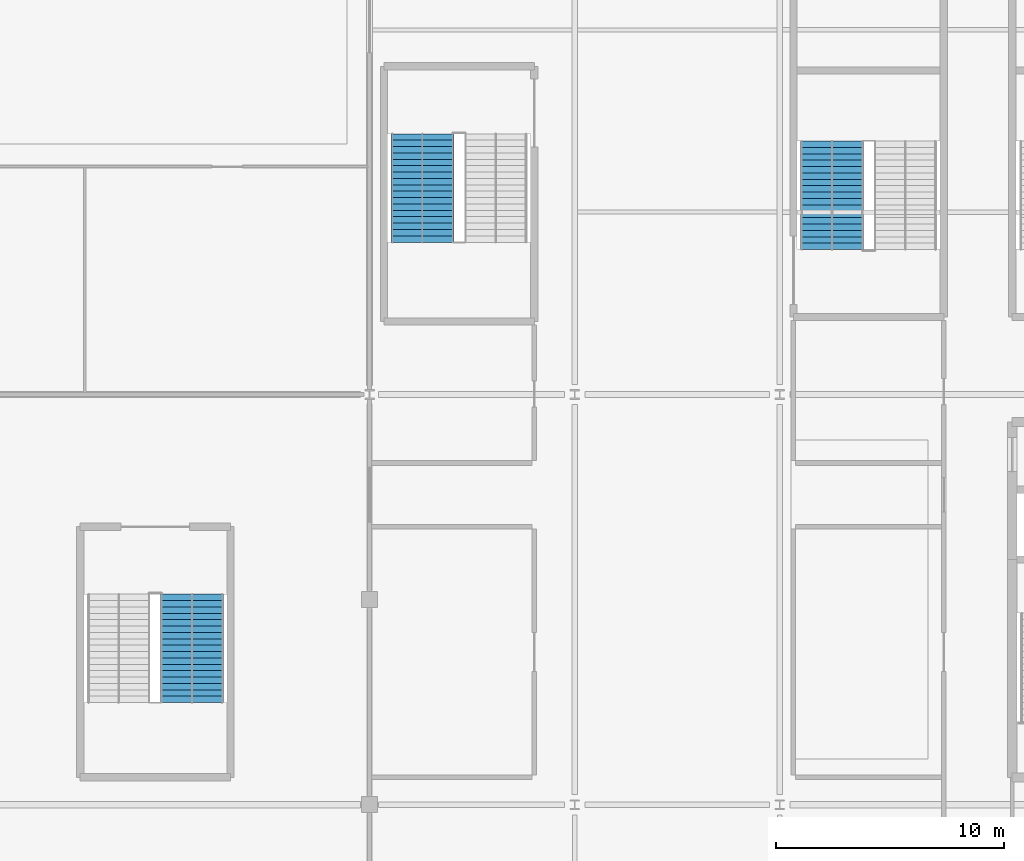
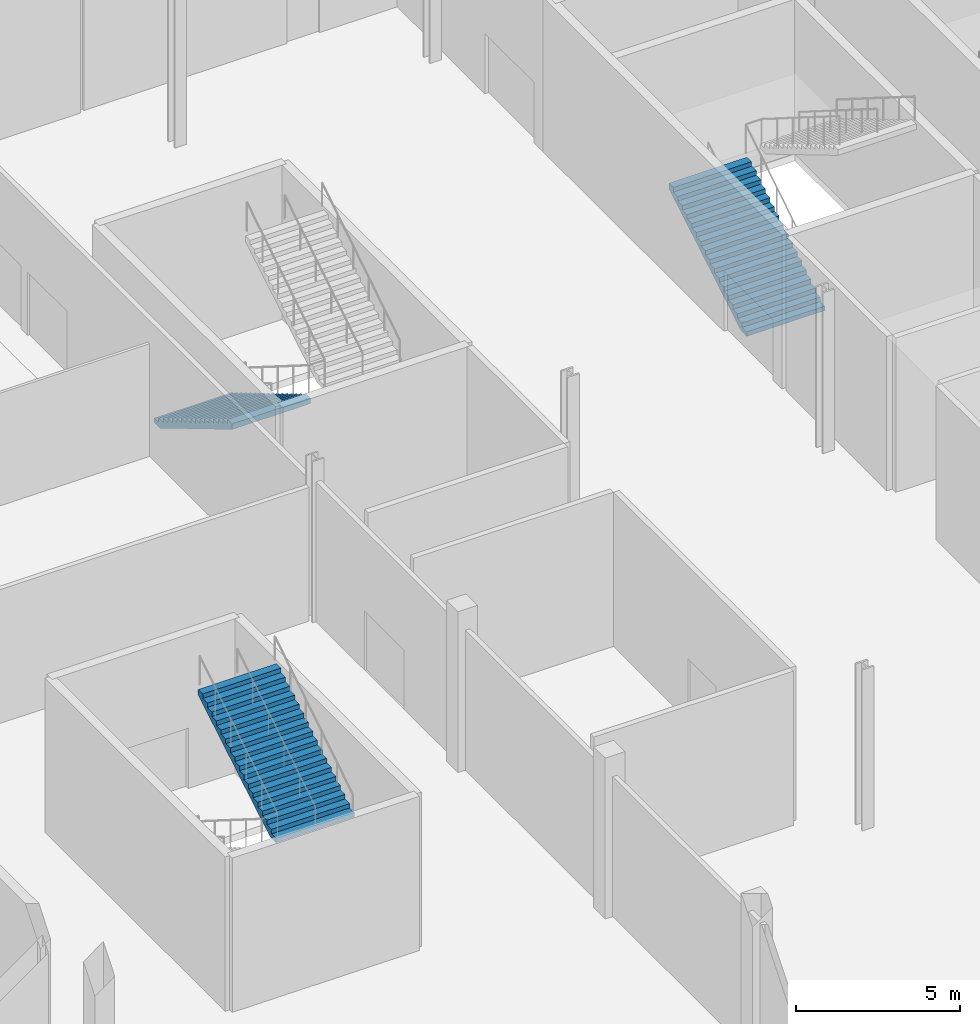
# One storey, part 62 of 84: 3 stair flights, 3 elements without a shape of their own.
"""IFC4 building model written with IfcOpenShell, lengths in metres."""

from ifc_helpers import new_model, si_unit, direction, frame, origin, place, context, subcontext, project, spatial, polygons, material, type_object, element, aggregate, save


model = new_model("IFC4")

# Units and contexts
model_context = context("Model", 3, precision=1e-05, world=origin(), true_north=direction((0.0, 1.0)))
body_context = subcontext(model_context, "Body", "Model", "MODEL_VIEW")
ifc_project = project(units=[si_unit("LENGTHUNIT", "METRE"), si_unit("AREAUNIT", "SQUARE_METRE"), si_unit("VOLUMEUNIT", "CUBIC_METRE"), si_unit("PLANEANGLEUNIT", "RADIAN"), si_unit("MASSUNIT", "GRAM", prefix="KILO")], contexts=[model_context])

# Site, building, storey
site_placement = place(None, origin())
site = spatial("IfcSite", under=ifc_project, at=site_placement, CompositionType="ELEMENT")
building_placement = place(site_placement, origin())
building = spatial("IfcBuilding", under=site, at=building_placement, Name="Kisiwana Market Hall", CompositionType="ELEMENT")
storey_placement = place(building_placement, origin())
storey = spatial("IfcBuildingStorey", under=building, at=storey_placement, Name="L00", CompositionType="ELEMENT", Elevation=0.0)

# Stair, stair flight
ifc_material_1 = material(Name="Concrete C32/40", Category="concrete")
stair_type = type_object("IfcStairType", Name="ST-ESC-6000", PredefinedType="TWO_STRAIGHT_RUN_STAIR", material=ifc_material_1)
stair_1_placement = place(storey_placement, origin())
stair_1 = element("IfcStair", 1, at=stair_1_placement, inside=storey, type_object=stair_type, Name="Escape stair ST-E7-L00", PredefinedType="TWO_STRAIGHT_RUN_STAIR")
ifc_material_2 = material(Name="Concrete C32/40", Category="concrete")
stair_flight_type = type_object("IfcStairFlightType", Name="SF-ESC-6000", PredefinedType="STRAIGHT", material=ifc_material_2)
stair_flight_1_placement = place(storey_placement, frame((173.2900390625, 42.360107421875, 0.0), z_axis=(0.0, 0.0, 1.0), x_axis=(0.0, 1.0, 0.0)))
stair_flight_1 = element("IfcStairFlight", 2, at=stair_flight_1_placement, type_object=stair_flight_type, Name="ST-E7-L00 flight 1", NumberOfRisers=18, NumberOfTreads=17, PredefinedType="STRAIGHT", RiserHeight=0.166667, TreadLength=0.28, context=body_context, shape_type="Tessellation", body=[
    polygons([(0.0, -1.380127, 0.0), (0.0, -0.690125, 0.0), (0.0, -0.000122, 0.0), (0.0, 0.68988, 0.0), (0.0, 1.379883, 0.0), (0.0, -1.380127, 0.166748), (0.0, -0.690125, 0.166748), (0.0, -0.000122, 0.166748), (0.0, 0.68988, 0.166748), (0.0, 1.379883, 0.166748), (0.280029, -1.380127, 0.166748), (0.280029, -0.690125, 0.166748), (0.280029, -0.000122, 0.166748), (0.280029, 0.68988, 0.166748), (0.280029, 1.379883, 0.166748), (0.280029, -1.380127, 0.333252), (0.280029, -0.690125, 0.333252), (0.280029, -0.000122, 0.333252), (0.280029, 0.68988, 0.333252), (0.280029, 1.379883, 0.333252), (0.560059, -1.380127, 0.333252), (0.560059, -0.690125, 0.333252), (0.560059, -0.000122, 0.333252), (0.560059, 0.68988, 0.333252), (0.560059, 1.379883, 0.333252), (0.560059, -1.380127, 0.5), (0.560059, -0.690125, 0.5), (0.560059, -0.000122, 0.5), (0.560059, 0.68988, 0.5), (0.560059, 1.379883, 0.5), (0.840088, -1.380127, 0.5), (0.840088, -0.690125, 0.5), (0.840088, -0.000122, 0.5), (0.840088, 0.68988, 0.5), (0.840088, 1.379883, 0.5), (0.840088, -1.380127, 0.666748), (0.840088, -0.690125, 0.666748), (0.840088, -0.000122, 0.666748), (0.840088, 0.68988, 0.666748), (0.840088, 1.379883, 0.666748), (1.120117, -1.380127, 0.666748), (1.120117, -0.690125, 0.666748), (1.120117, -0.000122, 0.666748), (1.120117, 0.68988, 0.666748), (1.120117, 1.379883, 0.666748), (1.120117, -1.380127, 0.833252), (1.120117, -0.690125, 0.833252), (1.120117, -0.000122, 0.833252), (1.120117, 0.68988, 0.833252), (1.120117, 1.379883, 0.833252), (1.399902, -1.380127, 0.833252), (1.399902, -0.690125, 0.833252), (1.399902, -0.000122, 0.833252), (1.399902, 0.68988, 0.833252), (1.399902, 1.379883, 0.833252), (1.399902, -1.380127, 1.0), (1.399902, -0.690125, 1.0), (1.399902, -0.000122, 1.0), (1.399902, 0.68988, 1.0), (1.399902, 1.379883, 1.0), (1.679932, -1.380127, 1.0), (1.679932, -0.690125, 1.0), (1.679932, -0.000122, 1.0), (1.679932, 0.68988, 1.0), (1.679932, 1.379883, 1.0), (1.679932, -1.380127, 1.166748), (1.679932, -0.690125, 1.166748), (1.679932, -0.000122, 1.166748), (1.679932, 0.68988, 1.166748), (1.679932, 1.379883, 1.166748), (1.959961, -1.380127, 1.166748), (1.959961, -0.690125, 1.166748), (1.959961, -0.000122, 1.166748), (1.959961, 0.68988, 1.166748), (1.959961, 1.379883, 1.166748), (1.959961, -1.380127, 1.333252), (1.959961, -0.690125, 1.333252), (1.959961, -0.000122, 1.333252), (1.959961, 0.68988, 1.333252), (1.959961, 1.379883, 1.333252), (2.23999, -1.380127, 1.333252), (2.23999, -0.690125, 1.333252), (2.23999, -0.000122, 1.333252), (2.23999, 0.68988, 1.333252), (2.23999, 1.379883, 1.333252), (2.23999, -1.380127, 1.5), (2.23999, -0.690125, 1.5), (2.23999, -0.000122, 1.5), (2.23999, 0.68988, 1.5), (2.23999, 1.379883, 1.5), (2.52002, -1.380127, 1.5), (2.52002, -0.690125, 1.5), (2.52002, -0.000122, 1.5), (2.52002, 0.68988, 1.5), (2.52002, 1.379883, 1.5), (2.52002, -1.380127, 1.666748), (2.52002, -0.690125, 1.666748), (2.52002, -0.000122, 1.666748), (2.52002, 0.68988, 1.666748), (2.52002, 1.379883, 1.666748), (2.800049, -1.380127, 1.666748), (2.800049, -0.690125, 1.666748), (2.800049, -0.000122, 1.666748), (2.800049, 0.68988, 1.666748), (2.800049, 1.379883, 1.666748), (2.800049, -1.380127, 1.833252), (2.800049, -0.690125, 1.833252), (2.800049, -0.000122, 1.833252), (2.800049, 0.68988, 1.833252), (2.800049, 1.379883, 1.833252), (3.080078, -1.380127, 1.833252), (3.080078, -0.690125, 1.833252), (3.080078, -0.000122, 1.833252), (3.080078, 0.68988, 1.833252), (3.080078, 1.379883, 1.833252), (3.080078, -1.380127, 2.0), (3.080078, -0.690125, 2.0), (3.080078, -0.000122, 2.0), (3.080078, 0.68988, 2.0), (3.080078, 1.379883, 2.0), (3.360107, -1.380127, 2.0), (3.360107, -0.690125, 2.0), (3.360107, -0.000122, 2.0), (3.360107, 0.68988, 2.0), (3.360107, 1.379883, 2.0), (3.360107, -1.380127, 2.166748), (3.360107, -0.690125, 2.166748), (3.360107, -0.000122, 2.166748), (3.360107, 0.68988, 2.166748), (3.360107, 1.379883, 2.166748), (3.639893, -1.380127, 2.166748), (3.639893, -0.690125, 2.166748), (3.639893, -0.000122, 2.166748), (3.639893, 0.68988, 2.166748), (3.639893, 1.379883, 2.166748), (3.639893, -1.380127, 2.333252), (3.639893, -0.690125, 2.333252), (3.639893, -0.000122, 2.333252), (3.639893, 0.68988, 2.333252), (3.639893, 1.379883, 2.333252), (3.919922, -1.380127, 2.333252), (3.919922, -0.690125, 2.333252), (3.919922, -0.000122, 2.333252), (3.919922, 0.68988, 2.333252), (3.919922, 1.379883, 2.333252), (3.919922, -1.380127, 2.5), (3.919922, -0.690125, 2.5), (3.919922, -0.000122, 2.5), (3.919922, 0.68988, 2.5), (3.919922, 1.379883, 2.5), (4.199951, -1.380127, 2.5), (4.199951, -0.690125, 2.5), (4.199951, -0.000122, 2.5), (4.199951, 0.68988, 2.5), (4.199951, 1.379883, 2.5), (4.199951, -1.380127, 2.666748), (4.199951, -0.690125, 2.666748), (4.199951, -0.000122, 2.666748), (4.199951, 0.68988, 2.666748), (4.199951, 1.379883, 2.666748), (4.47998, -1.380127, 2.666748), (4.47998, -0.690125, 2.666748), (4.47998, -0.000122, 2.666748), (4.47998, 0.68988, 2.666748), (4.47998, 1.379883, 2.666748), (4.47998, -1.380127, 2.833252), (4.47998, -0.690125, 2.833252), (4.47998, -0.000122, 2.833252), (4.47998, 0.68988, 2.833252), (4.47998, 1.379883, 2.833252), (4.76001, -1.380127, 2.833252), (4.76001, -0.690125, 2.833252), (4.76001, -0.000122, 2.833252), (4.76001, 0.68988, 2.833252), (4.76001, 1.379883, 2.833252), (4.76001, -1.380127, 2.624023), (4.76001, -0.690125, 2.624023), (4.76001, -0.000122, 2.624023), (4.76001, 0.68988, 2.624023), (4.76001, 1.379883, 2.624023), (0.351807, -1.380127, 0.0), (0.351807, -0.690125, 0.0), (0.351807, -0.000122, 0.0), (0.351807, 0.68988, 0.0), (0.351807, 1.379883, 0.0)], [[[1, 6, 7, 2]], [[2, 7, 8, 3]], [[3, 8, 9, 4]], [[4, 9, 10, 5]], [[6, 11, 12, 7]], [[7, 12, 13, 8]], [[8, 13, 14, 9]], [[9, 14, 15, 10]], [[11, 16, 17, 12]], [[12, 17, 18, 13]], [[13, 18, 19, 14]], [[14, 19, 20, 15]], [[16, 21, 22, 17]], [[17, 22, 23, 18]], [[18, 23, 24, 19]], [[19, 24, 25, 20]], [[21, 26, 27, 22]], [[22, 27, 28, 23]], [[23, 28, 29, 24]], [[24, 29, 30, 25]], [[26, 31, 32, 27]], [[27, 32, 33, 28]], [[28, 33, 34, 29]], [[29, 34, 35, 30]], [[31, 36, 37, 32]], [[32, 37, 38, 33]], [[33, 38, 39, 34]], [[34, 39, 40, 35]], [[36, 41, 42, 37]], [[37, 42, 43, 38]], [[38, 43, 44, 39]], [[39, 44, 45, 40]], [[41, 46, 47, 42]], [[42, 47, 48, 43]], [[43, 48, 49, 44]], [[44, 49, 50, 45]], [[46, 51, 52, 47]], [[47, 52, 53, 48]], [[48, 53, 54, 49]], [[49, 54, 55, 50]], [[51, 56, 57, 52]], [[52, 57, 58, 53]], [[53, 58, 59, 54]], [[54, 59, 60, 55]], [[56, 61, 62, 57]], [[57, 62, 63, 58]], [[58, 63, 64, 59]], [[59, 64, 65, 60]], [[61, 66, 67, 62]], [[62, 67, 68, 63]], [[63, 68, 69, 64]], [[64, 69, 70, 65]], [[66, 71, 72, 67]], [[67, 72, 73, 68]], [[68, 73, 74, 69]], [[69, 74, 75, 70]], [[71, 76, 77, 72]], [[72, 77, 78, 73]], [[73, 78, 79, 74]], [[74, 79, 80, 75]], [[76, 81, 82, 77]], [[77, 82, 83, 78]], [[78, 83, 84, 79]], [[79, 84, 85, 80]], [[81, 86, 87, 82]], [[82, 87, 88, 83]], [[83, 88, 89, 84]], [[84, 89, 90, 85]], [[86, 91, 92, 87]], [[87, 92, 93, 88]], [[88, 93, 94, 89]], [[89, 94, 95, 90]], [[91, 96, 97, 92]], [[92, 97, 98, 93]], [[93, 98, 99, 94]], [[94, 99, 100, 95]], [[96, 101, 102, 97]], [[97, 102, 103, 98]], [[98, 103, 104, 99]], [[99, 104, 105, 100]], [[101, 106, 107, 102]], [[102, 107, 108, 103]], [[103, 108, 109, 104]], [[104, 109, 110, 105]], [[106, 111, 112, 107]], [[107, 112, 113, 108]], [[108, 113, 114, 109]], [[109, 114, 115, 110]], [[111, 116, 117, 112]], [[112, 117, 118, 113]], [[113, 118, 119, 114]], [[114, 119, 120, 115]], [[116, 121, 122, 117]], [[117, 122, 123, 118]], [[118, 123, 124, 119]], [[119, 124, 125, 120]], [[121, 126, 127, 122]], [[122, 127, 128, 123]], [[123, 128, 129, 124]], [[124, 129, 130, 125]], [[126, 131, 132, 127]], [[127, 132, 133, 128]], [[128, 133, 134, 129]], [[129, 134, 135, 130]], [[131, 136, 137, 132]], [[132, 137, 138, 133]], [[133, 138, 139, 134]], [[134, 139, 140, 135]], [[136, 141, 142, 137]], [[137, 142, 143, 138]], [[138, 143, 144, 139]], [[139, 144, 145, 140]], [[141, 146, 147, 142]], [[142, 147, 148, 143]], [[143, 148, 149, 144]], [[144, 149, 150, 145]], [[146, 151, 152, 147]], [[147, 152, 153, 148]], [[148, 153, 154, 149]], [[149, 154, 155, 150]], [[151, 156, 157, 152]], [[152, 157, 158, 153]], [[153, 158, 159, 154]], [[154, 159, 160, 155]], [[156, 161, 162, 157]], [[157, 162, 163, 158]], [[158, 163, 164, 159]], [[159, 164, 165, 160]], [[161, 166, 167, 162]], [[162, 167, 168, 163]], [[163, 168, 169, 164]], [[164, 169, 170, 165]], [[166, 171, 172, 167]], [[167, 172, 173, 168]], [[168, 173, 174, 169]], [[169, 174, 175, 170]], [[171, 176, 177, 172]], [[172, 177, 178, 173]], [[173, 178, 179, 174]], [[174, 179, 180, 175]], [[176, 181, 182, 177]], [[177, 182, 183, 178]], [[178, 183, 184, 179]], [[179, 184, 185, 180]], [[181, 1, 2, 182]], [[182, 2, 3, 183]], [[183, 3, 4, 184]], [[184, 4, 5, 185]], [[181, 176, 171, 166, 161, 156, 151, 146, 141, 136, 131, 126, 121, 116, 111, 106, 101, 96, 91, 86, 81, 76, 71, 66, 61, 56, 51, 46, 41, 36, 31, 26, 21, 16, 11, 6, 1]], [[5, 10, 15, 20, 25, 30, 35, 40, 45, 50, 55, 60, 65, 70, 75, 80, 85, 90, 95, 100, 105, 110, 115, 120, 125, 130, 135, 140, 145, 150, 155, 160, 165, 170, 175, 180, 185]]], closed=True),
])
aggregate(stair_1, [stair_flight_1])

stair_2_placement = place(storey_placement, origin())
stair_2 = element("IfcStair", 3, at=stair_2_placement, inside=storey, type_object=stair_type, Name="Escape stair ST-E9-L00", PredefinedType="TWO_STRAIGHT_RUN_STAIR")
stair_flight_2_placement = place(storey_placement, frame((155.320068359375, 47.43994140625, 0.0), z_axis=(0.0, 0.0, 1.0), x_axis=(0.0, -1.0, 0.0)))
stair_flight_2 = element("IfcStairFlight", 4, at=stair_flight_2_placement, type_object=stair_flight_type, Name="ST-E9-L00 flight 1", NumberOfRisers=18, NumberOfTreads=17, PredefinedType="STRAIGHT", RiserHeight=0.166667, TreadLength=0.28, context=body_context, shape_type="Tessellation", body=[
    polygons([(0.0, -1.380127, 0.0), (0.0, -0.690125, 0.0), (0.0, -0.000122, 0.0), (0.0, 0.68988, 0.0), (0.0, 1.379883, 0.0), (0.0, -1.380127, 0.166748), (0.0, -0.690125, 0.166748), (0.0, -0.000122, 0.166748), (0.0, 0.68988, 0.166748), (0.0, 1.379883, 0.166748), (0.280029, -1.380127, 0.166748), (0.280029, -0.690125, 0.166748), (0.280029, -0.000122, 0.166748), (0.280029, 0.68988, 0.166748), (0.280029, 1.379883, 0.166748), (0.280029, -1.380127, 0.333252), (0.280029, -0.690125, 0.333252), (0.280029, -0.000122, 0.333252), (0.280029, 0.68988, 0.333252), (0.280029, 1.379883, 0.333252), (0.560059, -1.380127, 0.333252), (0.560059, -0.690125, 0.333252), (0.560059, -0.000122, 0.333252), (0.560059, 0.68988, 0.333252), (0.560059, 1.379883, 0.333252), (0.560059, -1.380127, 0.5), (0.560059, -0.690125, 0.5), (0.560059, -0.000122, 0.5), (0.560059, 0.68988, 0.5), (0.560059, 1.379883, 0.5), (0.840088, -1.380127, 0.5), (0.840088, -0.690125, 0.5), (0.840088, -0.000122, 0.5), (0.840088, 0.68988, 0.5), (0.840088, 1.379883, 0.5), (0.840088, -1.380127, 0.666748), (0.840088, -0.690125, 0.666748), (0.840088, -0.000122, 0.666748), (0.840088, 0.68988, 0.666748), (0.840088, 1.379883, 0.666748), (1.120117, -1.380127, 0.666748), (1.120117, -0.690125, 0.666748), (1.120117, -0.000122, 0.666748), (1.120117, 0.68988, 0.666748), (1.120117, 1.379883, 0.666748), (1.120117, -1.380127, 0.833252), (1.120117, -0.690125, 0.833252), (1.120117, -0.000122, 0.833252), (1.120117, 0.68988, 0.833252), (1.120117, 1.379883, 0.833252), (1.399902, -1.380127, 0.833252), (1.399902, -0.690125, 0.833252), (1.399902, -0.000122, 0.833252), (1.399902, 0.68988, 0.833252), (1.399902, 1.379883, 0.833252), (1.399902, -1.380127, 1.0), (1.399902, -0.690125, 1.0), (1.399902, -0.000122, 1.0), (1.399902, 0.68988, 1.0), (1.399902, 1.379883, 1.0), (1.679932, -1.380127, 1.0), (1.679932, -0.690125, 1.0), (1.679932, -0.000122, 1.0), (1.679932, 0.68988, 1.0), (1.679932, 1.379883, 1.0), (1.679932, -1.380127, 1.166748), (1.679932, -0.690125, 1.166748), (1.679932, -0.000122, 1.166748), (1.679932, 0.68988, 1.166748), (1.679932, 1.379883, 1.166748), (1.959961, -1.380127, 1.166748), (1.959961, -0.690125, 1.166748), (1.959961, -0.000122, 1.166748), (1.959961, 0.68988, 1.166748), (1.959961, 1.379883, 1.166748), (1.959961, -1.380127, 1.333252), (1.959961, -0.690125, 1.333252), (1.959961, -0.000122, 1.333252), (1.959961, 0.68988, 1.333252), (1.959961, 1.379883, 1.333252), (2.23999, -1.380127, 1.333252), (2.23999, -0.690125, 1.333252), (2.23999, -0.000122, 1.333252), (2.23999, 0.68988, 1.333252), (2.23999, 1.379883, 1.333252), (2.23999, -1.380127, 1.5), (2.23999, -0.690125, 1.5), (2.23999, -0.000122, 1.5), (2.23999, 0.68988, 1.5), (2.23999, 1.379883, 1.5), (2.52002, -1.380127, 1.5), (2.52002, -0.690125, 1.5), (2.52002, -0.000122, 1.5), (2.52002, 0.68988, 1.5), (2.52002, 1.379883, 1.5), (2.52002, -1.380127, 1.666748), (2.52002, -0.690125, 1.666748), (2.52002, -0.000122, 1.666748), (2.52002, 0.68988, 1.666748), (2.52002, 1.379883, 1.666748), (2.800049, -1.380127, 1.666748), (2.800049, -0.690125, 1.666748), (2.800049, -0.000122, 1.666748), (2.800049, 0.68988, 1.666748), (2.800049, 1.379883, 1.666748), (2.800049, -1.380127, 1.833252), (2.800049, -0.690125, 1.833252), (2.800049, -0.000122, 1.833252), (2.800049, 0.68988, 1.833252), (2.800049, 1.379883, 1.833252), (3.080078, -1.380127, 1.833252), (3.080078, -0.690125, 1.833252), (3.080078, -0.000122, 1.833252), (3.080078, 0.68988, 1.833252), (3.080078, 1.379883, 1.833252), (3.080078, -1.380127, 2.0), (3.080078, -0.690125, 2.0), (3.080078, -0.000122, 2.0), (3.080078, 0.68988, 2.0), (3.080078, 1.379883, 2.0), (3.360107, -1.380127, 2.0), (3.360107, -0.690125, 2.0), (3.360107, -0.000122, 2.0), (3.360107, 0.68988, 2.0), (3.360107, 1.379883, 2.0), (3.360107, -1.380127, 2.166748), (3.360107, -0.690125, 2.166748), (3.360107, -0.000122, 2.166748), (3.360107, 0.68988, 2.166748), (3.360107, 1.379883, 2.166748), (3.639893, -1.380127, 2.166748), (3.639893, -0.690125, 2.166748), (3.639893, -0.000122, 2.166748), (3.639893, 0.68988, 2.166748), (3.639893, 1.379883, 2.166748), (3.639893, -1.380127, 2.333252), (3.639893, -0.690125, 2.333252), (3.639893, -0.000122, 2.333252), (3.639893, 0.68988, 2.333252), (3.639893, 1.379883, 2.333252), (3.919922, -1.380127, 2.333252), (3.919922, -0.690125, 2.333252), (3.919922, -0.000122, 2.333252), (3.919922, 0.68988, 2.333252), (3.919922, 1.379883, 2.333252), (3.919922, -1.380127, 2.5), (3.919922, -0.690125, 2.5), (3.919922, -0.000122, 2.5), (3.919922, 0.68988, 2.5), (3.919922, 1.379883, 2.5), (4.199951, -1.380127, 2.5), (4.199951, -0.690125, 2.5), (4.199951, -0.000122, 2.5), (4.199951, 0.68988, 2.5), (4.199951, 1.379883, 2.5), (4.199951, -1.380127, 2.666748), (4.199951, -0.690125, 2.666748), (4.199951, -0.000122, 2.666748), (4.199951, 0.68988, 2.666748), (4.199951, 1.379883, 2.666748), (4.47998, -1.380127, 2.666748), (4.47998, -0.690125, 2.666748), (4.47998, -0.000122, 2.666748), (4.47998, 0.68988, 2.666748), (4.47998, 1.379883, 2.666748), (4.47998, -1.380127, 2.833252), (4.47998, -0.690125, 2.833252), (4.47998, -0.000122, 2.833252), (4.47998, 0.68988, 2.833252), (4.47998, 1.379883, 2.833252), (4.76001, -1.380127, 2.833252), (4.76001, -0.690125, 2.833252), (4.76001, -0.000122, 2.833252), (4.76001, 0.68988, 2.833252), (4.76001, 1.379883, 2.833252), (4.76001, -1.380127, 2.624023), (4.76001, -0.690125, 2.624023), (4.76001, -0.000122, 2.624023), (4.76001, 0.68988, 2.624023), (4.76001, 1.379883, 2.624023), (0.351807, -1.380127, 0.0), (0.351807, -0.690125, 0.0), (0.351807, -0.000122, 0.0), (0.351807, 0.68988, 0.0), (0.351807, 1.379883, 0.0)], [[[1, 6, 7, 2]], [[2, 7, 8, 3]], [[3, 8, 9, 4]], [[4, 9, 10, 5]], [[6, 11, 12, 7]], [[7, 12, 13, 8]], [[8, 13, 14, 9]], [[9, 14, 15, 10]], [[11, 16, 17, 12]], [[12, 17, 18, 13]], [[13, 18, 19, 14]], [[14, 19, 20, 15]], [[16, 21, 22, 17]], [[17, 22, 23, 18]], [[18, 23, 24, 19]], [[19, 24, 25, 20]], [[21, 26, 27, 22]], [[22, 27, 28, 23]], [[23, 28, 29, 24]], [[24, 29, 30, 25]], [[26, 31, 32, 27]], [[27, 32, 33, 28]], [[28, 33, 34, 29]], [[29, 34, 35, 30]], [[31, 36, 37, 32]], [[32, 37, 38, 33]], [[33, 38, 39, 34]], [[34, 39, 40, 35]], [[36, 41, 42, 37]], [[37, 42, 43, 38]], [[38, 43, 44, 39]], [[39, 44, 45, 40]], [[41, 46, 47, 42]], [[42, 47, 48, 43]], [[43, 48, 49, 44]], [[44, 49, 50, 45]], [[46, 51, 52, 47]], [[47, 52, 53, 48]], [[48, 53, 54, 49]], [[49, 54, 55, 50]], [[51, 56, 57, 52]], [[52, 57, 58, 53]], [[53, 58, 59, 54]], [[54, 59, 60, 55]], [[56, 61, 62, 57]], [[57, 62, 63, 58]], [[58, 63, 64, 59]], [[59, 64, 65, 60]], [[61, 66, 67, 62]], [[62, 67, 68, 63]], [[63, 68, 69, 64]], [[64, 69, 70, 65]], [[66, 71, 72, 67]], [[67, 72, 73, 68]], [[68, 73, 74, 69]], [[69, 74, 75, 70]], [[71, 76, 77, 72]], [[72, 77, 78, 73]], [[73, 78, 79, 74]], [[74, 79, 80, 75]], [[76, 81, 82, 77]], [[77, 82, 83, 78]], [[78, 83, 84, 79]], [[79, 84, 85, 80]], [[81, 86, 87, 82]], [[82, 87, 88, 83]], [[83, 88, 89, 84]], [[84, 89, 90, 85]], [[86, 91, 92, 87]], [[87, 92, 93, 88]], [[88, 93, 94, 89]], [[89, 94, 95, 90]], [[91, 96, 97, 92]], [[92, 97, 98, 93]], [[93, 98, 99, 94]], [[94, 99, 100, 95]], [[96, 101, 102, 97]], [[97, 102, 103, 98]], [[98, 103, 104, 99]], [[99, 104, 105, 100]], [[101, 106, 107, 102]], [[102, 107, 108, 103]], [[103, 108, 109, 104]], [[104, 109, 110, 105]], [[106, 111, 112, 107]], [[107, 112, 113, 108]], [[108, 113, 114, 109]], [[109, 114, 115, 110]], [[111, 116, 117, 112]], [[112, 117, 118, 113]], [[113, 118, 119, 114]], [[114, 119, 120, 115]], [[116, 121, 122, 117]], [[117, 122, 123, 118]], [[118, 123, 124, 119]], [[119, 124, 125, 120]], [[121, 126, 127, 122]], [[122, 127, 128, 123]], [[123, 128, 129, 124]], [[124, 129, 130, 125]], [[126, 131, 132, 127]], [[127, 132, 133, 128]], [[128, 133, 134, 129]], [[129, 134, 135, 130]], [[131, 136, 137, 132]], [[132, 137, 138, 133]], [[133, 138, 139, 134]], [[134, 139, 140, 135]], [[136, 141, 142, 137]], [[137, 142, 143, 138]], [[138, 143, 144, 139]], [[139, 144, 145, 140]], [[141, 146, 147, 142]], [[142, 147, 148, 143]], [[143, 148, 149, 144]], [[144, 149, 150, 145]], [[146, 151, 152, 147]], [[147, 152, 153, 148]], [[148, 153, 154, 149]], [[149, 154, 155, 150]], [[151, 156, 157, 152]], [[152, 157, 158, 153]], [[153, 158, 159, 154]], [[154, 159, 160, 155]], [[156, 161, 162, 157]], [[157, 162, 163, 158]], [[158, 163, 164, 159]], [[159, 164, 165, 160]], [[161, 166, 167, 162]], [[162, 167, 168, 163]], [[163, 168, 169, 164]], [[164, 169, 170, 165]], [[166, 171, 172, 167]], [[167, 172, 173, 168]], [[168, 173, 174, 169]], [[169, 174, 175, 170]], [[171, 176, 177, 172]], [[172, 177, 178, 173]], [[173, 178, 179, 174]], [[174, 179, 180, 175]], [[176, 181, 182, 177]], [[177, 182, 183, 178]], [[178, 183, 184, 179]], [[179, 184, 185, 180]], [[181, 1, 2, 182]], [[182, 2, 3, 183]], [[183, 3, 4, 184]], [[184, 4, 5, 185]], [[181, 176, 171, 166, 161, 156, 151, 146, 141, 136, 131, 126, 121, 116, 111, 106, 101, 96, 91, 86, 81, 76, 71, 66, 61, 56, 51, 46, 41, 36, 31, 26, 21, 16, 11, 6, 1]], [[5, 10, 15, 20, 25, 30, 35, 40, 45, 50, 55, 60, 65, 70, 75, 80, 85, 90, 95, 100, 105, 110, 115, 120, 125, 130, 135, 140, 145, 150, 155, 160, 165, 170, 175, 180, 185]]], closed=True),
])
aggregate(stair_2, [stair_flight_2])

stair_3_placement = place(storey_placement, origin())
stair_3 = element("IfcStair", 5, at=stair_3_placement, inside=storey, type_object=stair_type, Name="Escape stair ST-S6-L00", PredefinedType="TWO_STRAIGHT_RUN_STAIR")
stair_flight_3_placement = place(storey_placement, frame((145.2099609375, 22.47998046875, 3.0), z_axis=(0.0, 0.0, 1.0), x_axis=(0.0, 1.0, 0.0)))
stair_flight_3 = element("IfcStairFlight", 6, at=stair_flight_3_placement, type_object=stair_flight_type, Name="ST-S6-L00 flight 2", NumberOfRisers=18, NumberOfTreads=17, PredefinedType="STRAIGHT", RiserHeight=0.166667, TreadLength=0.28, context=body_context, shape_type="Tessellation", body=[
    polygons([(0.0, -1.380127, 0.0), (0.0, -0.690125, 0.0), (0.0, -0.000122, 0.0), (0.0, 0.68988, 0.0), (0.0, 1.379883, 0.0), (0.0, -1.380127, 0.166748), (0.0, -0.690125, 0.166748), (0.0, -0.000122, 0.166748), (0.0, 0.68988, 0.166748), (0.0, 1.379883, 0.166748), (0.280029, -1.380127, 0.166748), (0.280029, -0.690125, 0.166748), (0.280029, -0.000122, 0.166748), (0.280029, 0.68988, 0.166748), (0.280029, 1.379883, 0.166748), (0.280029, -1.380127, 0.333252), (0.280029, -0.690125, 0.333252), (0.280029, -0.000122, 0.333252), (0.280029, 0.68988, 0.333252), (0.280029, 1.379883, 0.333252), (0.560059, -1.380127, 0.333252), (0.560059, -0.690125, 0.333252), (0.560059, -0.000122, 0.333252), (0.560059, 0.68988, 0.333252), (0.560059, 1.379883, 0.333252), (0.560059, -1.380127, 0.5), (0.560059, -0.690125, 0.5), (0.560059, -0.000122, 0.5), (0.560059, 0.68988, 0.5), (0.560059, 1.379883, 0.5), (0.840088, -1.380127, 0.5), (0.840088, -0.690125, 0.5), (0.840088, -0.000122, 0.5), (0.840088, 0.68988, 0.5), (0.840088, 1.379883, 0.5), (0.840088, -1.380127, 0.666748), (0.840088, -0.690125, 0.666748), (0.840088, -0.000122, 0.666748), (0.840088, 0.68988, 0.666748), (0.840088, 1.379883, 0.666748), (1.120117, -1.380127, 0.666748), (1.120117, -0.690125, 0.666748), (1.120117, -0.000122, 0.666748), (1.120117, 0.68988, 0.666748), (1.120117, 1.379883, 0.666748), (1.120117, -1.380127, 0.833252), (1.120117, -0.690125, 0.833252), (1.120117, -0.000122, 0.833252), (1.120117, 0.68988, 0.833252), (1.120117, 1.379883, 0.833252), (1.399902, -1.380127, 0.833252), (1.399902, -0.690125, 0.833252), (1.399902, -0.000122, 0.833252), (1.399902, 0.68988, 0.833252), (1.399902, 1.379883, 0.833252), (1.399902, -1.380127, 1.0), (1.399902, -0.690125, 1.0), (1.399902, -0.000122, 1.0), (1.399902, 0.68988, 1.0), (1.399902, 1.379883, 1.0), (1.679932, -1.380127, 1.0), (1.679932, -0.690125, 1.0), (1.679932, -0.000122, 1.0), (1.679932, 0.68988, 1.0), (1.679932, 1.379883, 1.0), (1.679932, -1.380127, 1.166748), (1.679932, -0.690125, 1.166748), (1.679932, -0.000122, 1.166748), (1.679932, 0.68988, 1.166748), (1.679932, 1.379883, 1.166748), (1.959961, -1.380127, 1.166748), (1.959961, -0.690125, 1.166748), (1.959961, -0.000122, 1.166748), (1.959961, 0.68988, 1.166748), (1.959961, 1.379883, 1.166748), (1.959961, -1.380127, 1.333252), (1.959961, -0.690125, 1.333252), (1.959961, -0.000122, 1.333252), (1.959961, 0.68988, 1.333252), (1.959961, 1.379883, 1.333252), (2.23999, -1.380127, 1.333252), (2.23999, -0.690125, 1.333252), (2.23999, -0.000122, 1.333252), (2.23999, 0.68988, 1.333252), (2.23999, 1.379883, 1.333252), (2.23999, -1.380127, 1.5), (2.23999, -0.690125, 1.5), (2.23999, -0.000122, 1.5), (2.23999, 0.68988, 1.5), (2.23999, 1.379883, 1.5), (2.52002, -1.380127, 1.5), (2.52002, -0.690125, 1.5), (2.52002, -0.000122, 1.5), (2.52002, 0.68988, 1.5), (2.52002, 1.379883, 1.5), (2.52002, -1.380127, 1.666748), (2.52002, -0.690125, 1.666748), (2.52002, -0.000122, 1.666748), (2.52002, 0.68988, 1.666748), (2.52002, 1.379883, 1.666748), (2.800049, -1.380127, 1.666748), (2.800049, -0.690125, 1.666748), (2.800049, -0.000122, 1.666748), (2.800049, 0.68988, 1.666748), (2.800049, 1.379883, 1.666748), (2.800049, -1.380127, 1.833252), (2.800049, -0.690125, 1.833252), (2.800049, -0.000122, 1.833252), (2.800049, 0.68988, 1.833252), (2.800049, 1.379883, 1.833252), (3.080078, -1.380127, 1.833252), (3.080078, -0.690125, 1.833252), (3.080078, -0.000122, 1.833252), (3.080078, 0.68988, 1.833252), (3.080078, 1.379883, 1.833252), (3.080078, -1.380127, 2.0), (3.080078, -0.690125, 2.0), (3.080078, -0.000122, 2.0), (3.080078, 0.68988, 2.0), (3.080078, 1.379883, 2.0), (3.360107, -1.380127, 2.0), (3.360107, -0.690125, 2.0), (3.360107, -0.000122, 2.0), (3.360107, 0.68988, 2.0), (3.360107, 1.379883, 2.0), (3.360107, -1.380127, 2.166748), (3.360107, -0.690125, 2.166748), (3.360107, -0.000122, 2.166748), (3.360107, 0.68988, 2.166748), (3.360107, 1.379883, 2.166748), (3.639893, -1.380127, 2.166748), (3.639893, -0.690125, 2.166748), (3.639893, -0.000122, 2.166748), (3.639893, 0.68988, 2.166748), (3.639893, 1.379883, 2.166748), (3.639893, -1.380127, 2.333252), (3.639893, -0.690125, 2.333252), (3.639893, -0.000122, 2.333252), (3.639893, 0.68988, 2.333252), (3.639893, 1.379883, 2.333252), (3.919922, -1.380127, 2.333252), (3.919922, -0.690125, 2.333252), (3.919922, -0.000122, 2.333252), (3.919922, 0.68988, 2.333252), (3.919922, 1.379883, 2.333252), (3.919922, -1.380127, 2.5), (3.919922, -0.690125, 2.5), (3.919922, -0.000122, 2.5), (3.919922, 0.68988, 2.5), (3.919922, 1.379883, 2.5), (4.199951, -1.380127, 2.5), (4.199951, -0.690125, 2.5), (4.199951, -0.000122, 2.5), (4.199951, 0.68988, 2.5), (4.199951, 1.379883, 2.5), (4.199951, -1.380127, 2.666748), (4.199951, -0.690125, 2.666748), (4.199951, -0.000122, 2.666748), (4.199951, 0.68988, 2.666748), (4.199951, 1.379883, 2.666748), (4.47998, -1.380127, 2.666748), (4.47998, -0.690125, 2.666748), (4.47998, -0.000122, 2.666748), (4.47998, 0.68988, 2.666748), (4.47998, 1.379883, 2.666748), (4.47998, -1.380127, 2.833252), (4.47998, -0.690125, 2.833252), (4.47998, -0.000122, 2.833252), (4.47998, 0.68988, 2.833252), (4.47998, 1.379883, 2.833252), (4.76001, -1.380127, 2.833252), (4.76001, -0.690125, 2.833252), (4.76001, -0.000122, 2.833252), (4.76001, 0.68988, 2.833252), (4.76001, 1.379883, 2.833252), (4.76001, -1.380127, 2.624023), (4.76001, -0.690125, 2.624023), (4.76001, -0.000122, 2.624023), (4.76001, 0.68988, 2.624023), (4.76001, 1.379883, 2.624023), (0.351807, -1.380127, 0.0), (0.351807, -0.690125, 0.0), (0.351807, -0.000122, 0.0), (0.351807, 0.68988, 0.0), (0.351807, 1.379883, 0.0)], [[[1, 6, 7, 2]], [[2, 7, 8, 3]], [[3, 8, 9, 4]], [[4, 9, 10, 5]], [[6, 11, 12, 7]], [[7, 12, 13, 8]], [[8, 13, 14, 9]], [[9, 14, 15, 10]], [[11, 16, 17, 12]], [[12, 17, 18, 13]], [[13, 18, 19, 14]], [[14, 19, 20, 15]], [[16, 21, 22, 17]], [[17, 22, 23, 18]], [[18, 23, 24, 19]], [[19, 24, 25, 20]], [[21, 26, 27, 22]], [[22, 27, 28, 23]], [[23, 28, 29, 24]], [[24, 29, 30, 25]], [[26, 31, 32, 27]], [[27, 32, 33, 28]], [[28, 33, 34, 29]], [[29, 34, 35, 30]], [[31, 36, 37, 32]], [[32, 37, 38, 33]], [[33, 38, 39, 34]], [[34, 39, 40, 35]], [[36, 41, 42, 37]], [[37, 42, 43, 38]], [[38, 43, 44, 39]], [[39, 44, 45, 40]], [[41, 46, 47, 42]], [[42, 47, 48, 43]], [[43, 48, 49, 44]], [[44, 49, 50, 45]], [[46, 51, 52, 47]], [[47, 52, 53, 48]], [[48, 53, 54, 49]], [[49, 54, 55, 50]], [[51, 56, 57, 52]], [[52, 57, 58, 53]], [[53, 58, 59, 54]], [[54, 59, 60, 55]], [[56, 61, 62, 57]], [[57, 62, 63, 58]], [[58, 63, 64, 59]], [[59, 64, 65, 60]], [[61, 66, 67, 62]], [[62, 67, 68, 63]], [[63, 68, 69, 64]], [[64, 69, 70, 65]], [[66, 71, 72, 67]], [[67, 72, 73, 68]], [[68, 73, 74, 69]], [[69, 74, 75, 70]], [[71, 76, 77, 72]], [[72, 77, 78, 73]], [[73, 78, 79, 74]], [[74, 79, 80, 75]], [[76, 81, 82, 77]], [[77, 82, 83, 78]], [[78, 83, 84, 79]], [[79, 84, 85, 80]], [[81, 86, 87, 82]], [[82, 87, 88, 83]], [[83, 88, 89, 84]], [[84, 89, 90, 85]], [[86, 91, 92, 87]], [[87, 92, 93, 88]], [[88, 93, 94, 89]], [[89, 94, 95, 90]], [[91, 96, 97, 92]], [[92, 97, 98, 93]], [[93, 98, 99, 94]], [[94, 99, 100, 95]], [[96, 101, 102, 97]], [[97, 102, 103, 98]], [[98, 103, 104, 99]], [[99, 104, 105, 100]], [[101, 106, 107, 102]], [[102, 107, 108, 103]], [[103, 108, 109, 104]], [[104, 109, 110, 105]], [[106, 111, 112, 107]], [[107, 112, 113, 108]], [[108, 113, 114, 109]], [[109, 114, 115, 110]], [[111, 116, 117, 112]], [[112, 117, 118, 113]], [[113, 118, 119, 114]], [[114, 119, 120, 115]], [[116, 121, 122, 117]], [[117, 122, 123, 118]], [[118, 123, 124, 119]], [[119, 124, 125, 120]], [[121, 126, 127, 122]], [[122, 127, 128, 123]], [[123, 128, 129, 124]], [[124, 129, 130, 125]], [[126, 131, 132, 127]], [[127, 132, 133, 128]], [[128, 133, 134, 129]], [[129, 134, 135, 130]], [[131, 136, 137, 132]], [[132, 137, 138, 133]], [[133, 138, 139, 134]], [[134, 139, 140, 135]], [[136, 141, 142, 137]], [[137, 142, 143, 138]], [[138, 143, 144, 139]], [[139, 144, 145, 140]], [[141, 146, 147, 142]], [[142, 147, 148, 143]], [[143, 148, 149, 144]], [[144, 149, 150, 145]], [[146, 151, 152, 147]], [[147, 152, 153, 148]], [[148, 153, 154, 149]], [[149, 154, 155, 150]], [[151, 156, 157, 152]], [[152, 157, 158, 153]], [[153, 158, 159, 154]], [[154, 159, 160, 155]], [[156, 161, 162, 157]], [[157, 162, 163, 158]], [[158, 163, 164, 159]], [[159, 164, 165, 160]], [[161, 166, 167, 162]], [[162, 167, 168, 163]], [[163, 168, 169, 164]], [[164, 169, 170, 165]], [[166, 171, 172, 167]], [[167, 172, 173, 168]], [[168, 173, 174, 169]], [[169, 174, 175, 170]], [[171, 176, 177, 172]], [[172, 177, 178, 173]], [[173, 178, 179, 174]], [[174, 179, 180, 175]], [[176, 181, 182, 177]], [[177, 182, 183, 178]], [[178, 183, 184, 179]], [[179, 184, 185, 180]], [[181, 1, 2, 182]], [[182, 2, 3, 183]], [[183, 3, 4, 184]], [[184, 4, 5, 185]], [[181, 176, 171, 166, 161, 156, 151, 146, 141, 136, 131, 126, 121, 116, 111, 106, 101, 96, 91, 86, 81, 76, 71, 66, 61, 56, 51, 46, 41, 36, 31, 26, 21, 16, 11, 6, 1]], [[5, 10, 15, 20, 25, 30, 35, 40, 45, 50, 55, 60, 65, 70, 75, 80, 85, 90, 95, 100, 105, 110, 115, 120, 125, 130, 135, 140, 145, 150, 155, 160, 165, 170, 175, 180, 185]]], closed=True),
])
aggregate(stair_3, [stair_flight_3])

save(model, "model.ifc")
